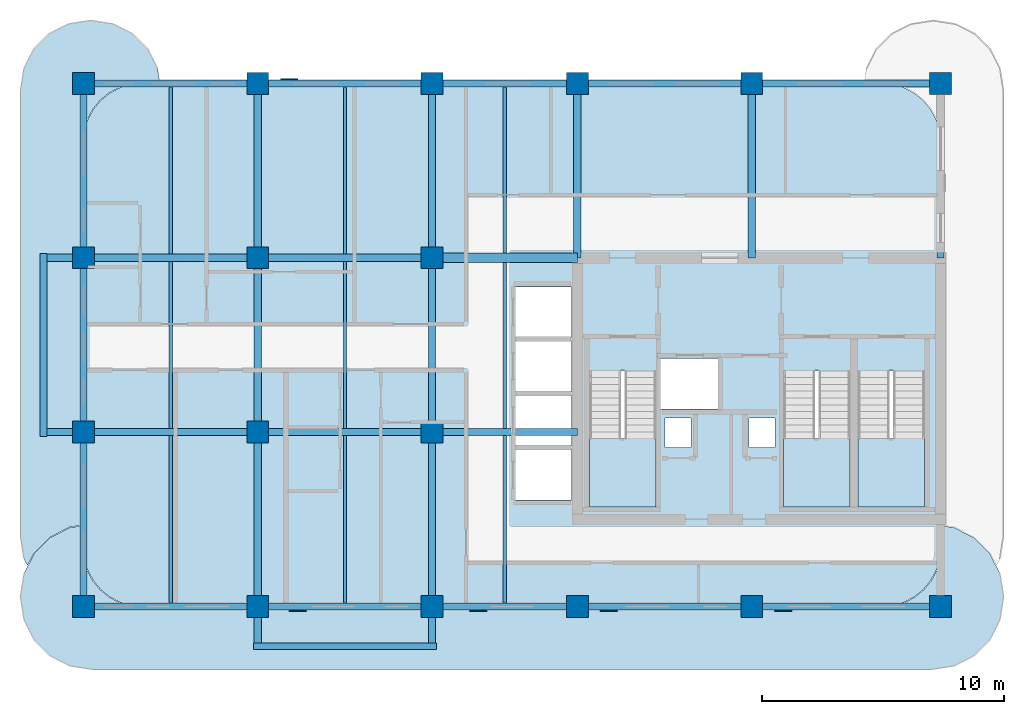
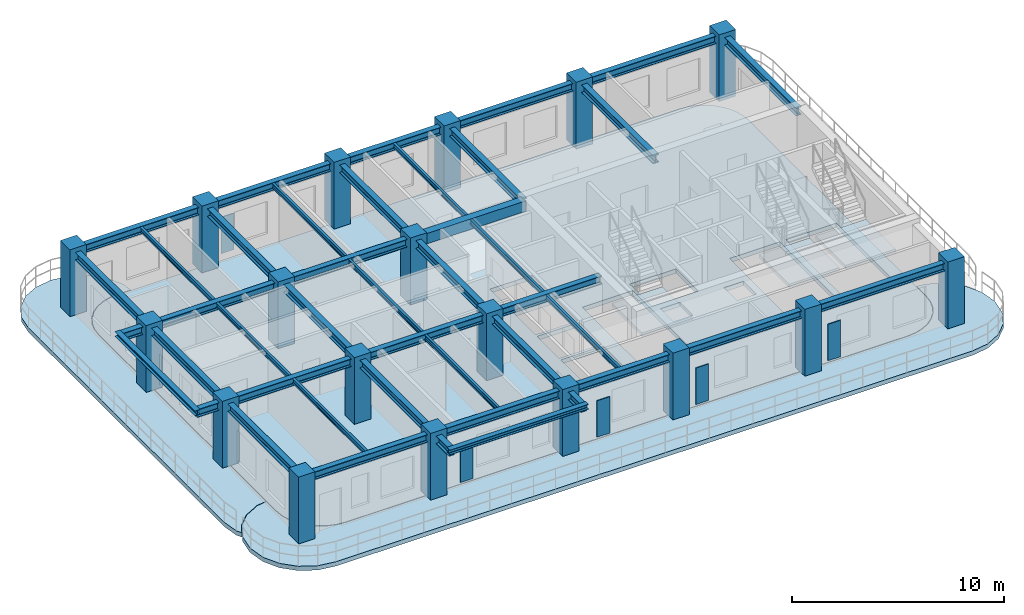
# One storey, part 1 of 8: 39 beams, 18 columns, 6 slabs, 5 plates, 3 elements without a shape of their own.
"""IFC4 building model written with IfcOpenShell, lengths in metres."""

from ifc_helpers import new_model, si_unit, derived_unit, direction, frame, origin, origin_2d, place, context, subcontext, project, spatial, polyline, rectangle, i_section, outline, extrude, source, transform, mapped, material, layer, layer_set, material_profile, profile_set, type_object, type_shapes, element, aggregate, save


model = new_model("IFC4")

# Units and contexts
model_context = context("Model", 3, precision=1e-05, world=origin(), true_north=direction((0.0, 1.0)))
body_context = subcontext(model_context, "Body", "Model", "MODEL_VIEW")
ifc_project = project(units=[si_unit("LENGTHUNIT", "METRE"), si_unit("AREAUNIT", "SQUARE_METRE"), si_unit("VOLUMEUNIT", "CUBIC_METRE"), si_unit("PLANEANGLEUNIT", "RADIAN"), si_unit("MASSUNIT", "GRAM", prefix="KILO"), si_unit("THERMODYNAMICTEMPERATUREUNIT", "KELVIN"), si_unit("POWERUNIT", "WATT"), derived_unit("THERMALTRANSMITTANCEUNIT", [(si_unit("POWERUNIT", "WATT"), 1), (si_unit("AREAUNIT", "SQUARE_METRE"), -1), (si_unit("THERMODYNAMICTEMPERATUREUNIT", "KELVIN"), -1)])], contexts=[model_context])

# Site, building, storey
site_placement = place(None, origin())
site = spatial("IfcSite", under=ifc_project, at=site_placement, CompositionType="ELEMENT")
building_placement = place(site_placement, origin())
building = spatial("IfcBuilding", under=site, at=building_placement, Name="Zahravan Archway Hotel and Residences", CompositionType="ELEMENT")
storey_placement = place(building_placement, frame((0.0, 0.0, 225.0)))
storey = spatial("IfcBuildingStorey", under=building, at=storey_placement, Name="L56", CompositionType="ELEMENT", Elevation=225.0)

# Columns
ifc_material_1 = material(Name="Concrete C60/75", Category="concrete")
ifc_material_profile_1 = material_profile(ifc_material_1, rectangle(XDim=0.89990234375, YDim=0.89990234375, at=origin_2d()), Name="RC-COL-900x900", Category="concrete")
ifc_profile_set_1 = profile_set([ifc_material_profile_1], Name="Concrete C60/75")
column_type = type_object("IfcColumnType", Name="COL-RC-900", PredefinedType="COLUMN", material=ifc_profile_set_1)
shared_shape_1 = source(origin(), body_context, "Body", "SweptSolid", [
    extrude(rectangle(XDim=0.89990234375, YDim=0.89990234375, at=origin_2d()), origin(), (0.0, 0.0, 1.0), 3.85009765625),
])
type_shapes(column_type, [shared_shape_1])
for number, where, z_axis, x_axis, name in (
    (1, (14.39990234375, 0.0, 0.0), (0.0, 0.0, 1.0), (1.0, 0.0, 0.0), "L56 Column 3-A"),
    (2, (14.39990234375, 7.199951171875, 0.0), (0.0, 0.0, 1.0), (1.0, 0.0, 0.0), "L56 Column 3-B"),
    (3, (14.39990234375, 14.39990234375, 0.0), (0.0, 0.0, 1.0), (1.0, 0.0, 0.0), "L56 Column 3-C"),
    (4, (14.39990234375, 21.60009765625, 0.0), (0.0, 0.0, 1.0), (1.0, 0.0, 0.0), "L56 Column 3-D"),
    (5, (21.60009765625, 0.0, 0.0), (0.0, 0.0, 1.0), (1.0, 0.0, 0.0), "L56 Column 4-A"),
    (6, (21.60009765625, 7.199951171875, 0.0), (0.0, 0.0, 1.0), (1.0, 0.0, 0.0), "L56 Column 4-B"),
    (7, (21.60009765625, 14.39990234375, 0.0), (0.0, 0.0, 1.0), (1.0, 0.0, 0.0), "L56 Column 4-C"),
    (8, (21.60009765625, 21.60009765625, 0.0), (0.0, 0.0, 1.0), (1.0, 0.0, 0.0), "L56 Column 4-D"),
    (9, (28.800048828125, 0.0, 0.0), (0.0, 0.0, 1.0), (1.0, 0.0, 0.0), "L56 Column 5-A"),
    (10, (28.800048828125, 7.199951171875, 0.0), (0.0, 0.0, 1.0), (1.0, 0.0, 0.0), "L56 Column 5-B"),
    (11, (28.800048828125, 14.39990234375, 0.0), (0.0, 0.0, 1.0), (1.0, 0.0, 0.0), "L56 Column 5-C"),
    (12, (28.800048828125, 21.60009765625, 0.0), (0.0, 0.0, 1.0), (1.0, 0.0, 0.0), "L56 Column 5-D"),
    (13, (34.800048828125, 0.0, 0.0), (0.0, 0.0, 1.0), (1.0, 0.0, 0.0), "L56 Column 6-A"),
    (14, (34.800048828125, 21.60009765625, 0.0), (0.0, 0.0, 1.0), (1.0, 0.0, 0.0), "L56 Column 6-D"),
    (15, (42.0, 0.0, 0.0), (0.0, 0.0, 1.0), (1.0, 0.0, 0.0), "L56 Column 7-A"),
    (16, (42.0, 21.60009765625, 0.0), (0.0, 0.0, 1.0), (1.0, 0.0, 0.0), "L56 Column 7-D"),
    (17, (49.800048828125, 0.0, 0.0), (0.0, 0.0, 1.0), (1.0, 0.0, 0.0), "L56 Column 8-A"),
    (18, (49.800048828125, 21.60009765625, 0.0), (0.0, 0.0, 1.0), (1.0, 0.0, 0.0), "L56 Column 8-D"),
):
    element("IfcColumn", number, at=place(storey_placement, frame(where, z_axis=z_axis, x_axis=x_axis)), inside=storey, type_object=column_type, Name=name, PredefinedType="COLUMN", context=body_context, shape_type="MappedRepresentation", body=[
        mapped(shared_shape_1, transform((0.0, 0.0, 0.0), scale=1.0)),
    ])

# Beams
ifc_material_2 = material(Name="Structural Steel S355JR", Category="steel")
ifc_material_profile_2 = material_profile(ifc_material_2, i_section(OverallWidth=0.280029296875, OverallDepth=0.280029296875, WebThickness=0.010498046875, FlangeThickness=0.01806640625, FilletRadius=0.02392578125, at=origin_2d()), Name="HEB 280", Category="steel")
ifc_profile_set_2 = profile_set([ifc_material_profile_2], Name="Structural Steel S355JR")
beam_type_1 = type_object("IfcBeamType", Name="BM-SPN-HEB280", PredefinedType="SPANDREL", material=ifc_profile_set_2)
shared_shape_2 = source(origin(), body_context, "Body", "SweptSolid", [
    extrude(i_section(OverallWidth=0.280029296875, OverallDepth=0.280029296875, WebThickness=0.010498046875, FlangeThickness=0.01806640625, FilletRadius=0.02392578125, at=origin_2d()), origin(), (0.0, 0.0, 1.0), 7.56005859375),
])
type_shapes(beam_type_1, [shared_shape_2])
for number, where, z_axis, x_axis, name in (
    (19, (12.75, 7.02001953125, 3.4599609375), (0.0, 1.0, 0.0), (-1.0, 0.0, 0.0), "L57 WA Balcony Edge Spandrel"),
    (20, (21.419921875, -1.64990234375, 3.4599609375), (1.0, 0.0, 0.0), (0.0, 1.0, 0.0), "L57 SA Balcony Edge Spandrel"),
):
    element("IfcBeam", number, at=place(storey_placement, frame(where, z_axis=z_axis, x_axis=x_axis)), inside=storey, type_object=beam_type_1, Name=name, PredefinedType="SPANDREL", context=body_context, shape_type="MappedRepresentation", body=[
        mapped(shared_shape_2, transform((0.0, 0.0, 0.0), scale=1.0)),
    ])
ifc_material_profile_3 = material_profile(ifc_material_1, rectangle(XDim=0.39990234375, YDim=0.60009765625, at=origin_2d()), Name="RC-LNT-400x600", Category="concrete")
ifc_profile_set_3 = profile_set([ifc_material_profile_3], Name="Concrete C60/75")
beam_type_2 = type_object("IfcBeamType", Name="LNT-RC-400x600", PredefinedType="LINTEL", material=ifc_profile_set_3)
shared_shape_3 = source(origin(), body_context, "Body", "SweptSolid", [
    extrude(rectangle(XDim=0.39990234375, YDim=0.60009765625, at=origin_2d()), origin(), (0.0, 0.0, 1.0), 6.0),
])
type_shapes(beam_type_2, [shared_shape_3])
beam_placement = place(storey_placement, frame((28.800048828125, 14.39990234375, 3.300048828125), z_axis=(1.0, 0.0, 0.0), x_axis=(0.0, 1.0, 0.0)))
element("IfcBeam", 21, at=beam_placement, inside=storey, type_object=beam_type_2, Name="L56 Core A Coupling Lintel Beam", PredefinedType="LINTEL", context=body_context, shape_type="MappedRepresentation", body=[
    mapped(shared_shape_3, transform((0.0, 0.0, 0.0), scale=1.0)),
])
ifc_material_profile_4 = material_profile(ifc_material_2, i_section(OverallWidth=0.300048828125, OverallDepth=0.449951171875, WebThickness=0.013916015625, FlangeThickness=0.02587890625, FilletRadius=0.027099609375, at=origin_2d()), Name="HEB 450", Category="steel")
ifc_profile_set_4 = profile_set([ifc_material_profile_4], Name="Structural Steel S355JR")
beam_type_3 = type_object("IfcBeamType", Name="BM-PRI-HEB450", PredefinedType="BEAM", material=ifc_profile_set_4)
shared_shape_4 = source(origin(), body_context, "Body", "SweptSolid", [
    extrude(i_section(OverallWidth=0.300048828125, OverallDepth=0.449951171875, WebThickness=0.013916015625, FlangeThickness=0.02587890625, FilletRadius=0.027099609375, at=origin_2d()), origin(), (0.0, 0.0, 1.0), 7.2001953125),
])
type_shapes(beam_type_3, [shared_shape_4])
for number, where, z_axis, x_axis, name in (
    (22, (14.39990234375, 0.0, 3.375), (1.0, 0.0, 0.0), (0.0, 1.0, 0.0), "L56 Primary Girder EW-01"),
    (23, (14.39990234375, 21.60009765625, 3.375), (1.0, 0.0, 0.0), (0.0, 1.0, 0.0), "L56 Primary Girder EW-11"),
    (24, (14.39990234375, 14.39990234375, 3.375), (0.0, 1.0, 0.0), (-1.0, 0.0, 0.0), "L56 Primary Girder NS-18"),
    (25, (21.60009765625, 14.39990234375, 3.375), (0.0, 1.0, 0.0), (-1.0, 0.0, 0.0), "L56 Primary Girder NS-21"),
    (26, (28.800048828125, 14.39990234375, 3.375), (0.0, 1.0, 0.0), (-1.0, 0.0, 0.0), "L56 Primary Girder NS-24"),
    (27, (34.800048828125, 14.39990234375, 3.375), (0.0, 1.0, 0.0), (-1.0, 0.0, 0.0), "L56 Primary Girder NS-25"),
    (28, (42.0, 14.39990234375, 3.375), (0.0, 1.0, 0.0), (-1.0, 0.0, 0.0), "L56 Primary Girder NS-26"),
    (29, (49.800048828125, 14.39990234375, 3.375), (0.0, 1.0, 0.0), (-1.0, 0.0, 0.0), "L56 Primary Girder NS-27"),
):
    element("IfcBeam", number, at=place(storey_placement, frame(where, z_axis=z_axis, x_axis=x_axis)), inside=storey, type_object=beam_type_3, Name=name, PredefinedType="BEAM", context=body_context, shape_type="MappedRepresentation", body=[
        mapped(shared_shape_4, transform((0.0, 0.0, 0.0), scale=1.0)),
    ])
shared_shape_5 = source(origin(), body_context, "Body", "SweptSolid", [
    extrude(i_section(OverallWidth=0.300048828125, OverallDepth=0.449951171875, WebThickness=0.013916015625, FlangeThickness=0.02587890625, FilletRadius=0.027099609375, at=origin_2d()), origin(), (0.0, 0.0, 1.0), 7.199951171875),
])
for number, where, z_axis, x_axis, name in (
    (30, (21.60009765625, 0.0, 3.375), (1.0, 0.0, 0.0), (0.0, 1.0, 0.0), "L56 Primary Girder EW-02"),
    (31, (34.800048828125, 0.0, 3.375), (1.0, 0.0, 0.0), (0.0, 1.0, 0.0), "L56 Primary Girder EW-04"),
    (32, (21.60009765625, 7.199951171875, 3.375), (1.0, 0.0, 0.0), (0.0, 1.0, 0.0), "L56 Primary Girder EW-07"),
    (33, (21.60009765625, 14.39990234375, 3.375), (1.0, 0.0, 0.0), (0.0, 1.0, 0.0), "L56 Primary Girder EW-10"),
    (34, (21.60009765625, 21.60009765625, 3.375), (1.0, 0.0, 0.0), (0.0, 1.0, 0.0), "L56 Primary Girder EW-12"),
    (35, (34.800048828125, 21.60009765625, 3.375), (1.0, 0.0, 0.0), (0.0, 1.0, 0.0), "L56 Primary Girder EW-14"),
    (36, (14.39990234375, 0.0, 3.375), (0.0, 1.0, 0.0), (-1.0, 0.0, 0.0), "L56 Primary Girder NS-16"),
    (37, (14.39990234375, 7.199951171875, 3.375), (0.0, 1.0, 0.0), (-1.0, 0.0, 0.0), "L56 Primary Girder NS-17"),
    (38, (21.60009765625, 7.199951171875, 3.375), (0.0, 1.0, 0.0), (-1.0, 0.0, 0.0), "L56 Primary Girder NS-20"),
    (39, (28.800048828125, 7.199951171875, 3.375), (0.0, 1.0, 0.0), (-1.0, 0.0, 0.0), "L56 Primary Girder NS-23"),
):
    element("IfcBeam", number, at=place(storey_placement, frame(where, z_axis=z_axis, x_axis=x_axis)), inside=storey, type_object=beam_type_3, Name=name, PredefinedType="BEAM", context=body_context, shape_type="MappedRepresentation", body=[
        mapped(shared_shape_5, transform((0.0, 0.0, 0.0), scale=1.0)),
    ])
shared_shape_6 = source(origin(), body_context, "Body", "SweptSolid", [
    extrude(i_section(OverallWidth=0.300048828125, OverallDepth=0.449951171875, WebThickness=0.013916015625, FlangeThickness=0.02587890625, FilletRadius=0.027099609375, at=origin_2d()), origin(), (0.0, 0.0, 1.0), 6.0),
])
for number, where, z_axis, x_axis, name in (
    (40, (28.800048828125, 0.0, 3.375), (1.0, 0.0, 0.0), (0.0, 1.0, 0.0), "L56 Primary Girder EW-03"),
    (41, (28.800048828125, 7.199951171875, 3.375), (1.0, 0.0, 0.0), (0.0, 1.0, 0.0), "L56 Primary Girder EW-08"),
    (42, (28.800048828125, 21.60009765625, 3.375), (1.0, 0.0, 0.0), (0.0, 1.0, 0.0), "L56 Primary Girder EW-13"),
):
    element("IfcBeam", number, at=place(storey_placement, frame(where, z_axis=z_axis, x_axis=x_axis)), inside=storey, type_object=beam_type_3, Name=name, PredefinedType="BEAM", context=body_context, shape_type="MappedRepresentation", body=[
        mapped(shared_shape_6, transform((0.0, 0.0, 0.0), scale=1.0)),
    ])
shared_shape_7 = source(origin(), body_context, "Body", "SweptSolid", [
    extrude(i_section(OverallWidth=0.300048828125, OverallDepth=0.449951171875, WebThickness=0.013916015625, FlangeThickness=0.02587890625, FilletRadius=0.027099609375, at=origin_2d()), origin(), (0.0, 0.0, 1.0), 7.800048828125),
])
for number, where, z_axis, x_axis, name in (
    (43, (42.0, 0.0, 3.375), (1.0, 0.0, 0.0), (0.0, 1.0, 0.0), "L56 Primary Girder EW-05"),
    (44, (42.0, 21.60009765625, 3.375), (1.0, 0.0, 0.0), (0.0, 1.0, 0.0), "L56 Primary Girder EW-15"),
):
    element("IfcBeam", number, at=place(storey_placement, frame(where, z_axis=z_axis, x_axis=x_axis)), inside=storey, type_object=beam_type_3, Name=name, PredefinedType="BEAM", context=body_context, shape_type="MappedRepresentation", body=[
        mapped(shared_shape_7, transform((0.0, 0.0, 0.0), scale=1.0)),
    ])
ifc_material_profile_5 = material_profile(ifc_material_2, i_section(OverallWidth=0.135009765625, OverallDepth=0.27001953125, WebThickness=0.006591796875, FlangeThickness=0.01025390625, FilletRadius=0.014892578125, at=origin_2d()), Name="IPE 270", Category="steel")
ifc_profile_set_5 = profile_set([ifc_material_profile_5], Name="Structural Steel S355JR")
beam_type_4 = type_object("IfcBeamType", Name="BM-JST-IPE270", PredefinedType="JOIST", material=ifc_profile_set_5)
shared_shape_8 = source(origin(), body_context, "Body", "SweptSolid", [
    extrude(i_section(OverallWidth=0.135009765625, OverallDepth=0.27001953125, WebThickness=0.006591796875, FlangeThickness=0.01025390625, FilletRadius=0.014892578125, at=origin_2d()), origin(), (0.0, 0.0, 1.0), 6.904052734375),
])
type_shapes(beam_type_4, [shared_shape_8])
for number, where, z_axis, x_axis, name in (
    (45, (18.0, 0.14794921875, 3.465087890625), (0.0, 1.0, 0.0), (-1.0, 0.0, 0.0), "L56 Composite Floor Joist 01"),
    (46, (25.199951171875, 0.14794921875, 3.465087890625), (0.0, 1.0, 0.0), (-1.0, 0.0, 0.0), "L56 Composite Floor Joist 02"),
    (47, (31.800048828125, 0.14794921875, 3.465087890625), (0.0, 1.0, 0.0), (-1.0, 0.0, 0.0), "L56 Composite Floor Joist 03"),
    (48, (18.0, 7.347900390625, 3.465087890625), (0.0, 1.0, 0.0), (-1.0, 0.0, 0.0), "L56 Composite Floor Joist 04"),
    (49, (25.199951171875, 7.347900390625, 3.465087890625), (0.0, 1.0, 0.0), (-1.0, 0.0, 0.0), "L56 Composite Floor Joist 05"),
):
    element("IfcBeam", number, at=place(storey_placement, frame(where, z_axis=z_axis, x_axis=x_axis)), inside=storey, type_object=beam_type_4, Name=name, PredefinedType="JOIST", context=body_context, shape_type="MappedRepresentation", body=[
        mapped(shared_shape_8, transform((0.0, 0.0, 0.0), scale=1.0)),
    ])
shared_shape_9 = source(origin(), body_context, "Body", "SweptSolid", [
    extrude(i_section(OverallWidth=0.135009765625, OverallDepth=0.27001953125, WebThickness=0.006591796875, FlangeThickness=0.01025390625, FilletRadius=0.014892578125, at=origin_2d()), origin(), (0.0, 0.0, 1.0), 6.85400390625),
])
for number, where, z_axis, x_axis, name in (
    (50, (31.800048828125, 7.347900390625, 3.465087890625), (0.0, 1.0, 0.0), (-1.0, 0.0, 0.0), "L56 Composite Floor Joist 06"),
    (51, (31.800048828125, 14.597900390625, 3.465087890625), (0.0, 1.0, 0.0), (-1.0, 0.0, 0.0), "L56 Composite Floor Joist 07"),
):
    element("IfcBeam", number, at=place(storey_placement, frame(where, z_axis=z_axis, x_axis=x_axis)), inside=storey, type_object=beam_type_4, Name=name, PredefinedType="JOIST", context=body_context, shape_type="MappedRepresentation", body=[
        mapped(shared_shape_9, transform((0.0, 0.0, 0.0), scale=1.0)),
    ])
shared_shape_10 = source(origin(), body_context, "Body", "SweptSolid", [
    extrude(i_section(OverallWidth=0.135009765625, OverallDepth=0.27001953125, WebThickness=0.006591796875, FlangeThickness=0.01025390625, FilletRadius=0.014892578125, at=origin_2d()), origin(), (0.0, 0.0, 1.0), 6.90380859375),
])
for number, where, z_axis, x_axis, name in (
    (52, (18.0, 14.548095703125, 3.465087890625), (0.0, 1.0, 0.0), (-1.0, 0.0, 0.0), "L56 Composite Floor Joist 08"),
    (53, (25.199951171875, 14.548095703125, 3.465087890625), (0.0, 1.0, 0.0), (-1.0, 0.0, 0.0), "L56 Composite Floor Joist 09"),
):
    element("IfcBeam", number, at=place(storey_placement, frame(where, z_axis=z_axis, x_axis=x_axis)), inside=storey, type_object=beam_type_4, Name=name, PredefinedType="JOIST", context=body_context, shape_type="MappedRepresentation", body=[
        mapped(shared_shape_10, transform((0.0, 0.0, 0.0), scale=1.0)),
    ])
shared_shape_11 = source(origin(), body_context, "Body", "SweptSolid", [
    extrude(i_section(OverallWidth=0.300048828125, OverallDepth=0.449951171875, WebThickness=0.013916015625, FlangeThickness=0.02587890625, FilletRadius=0.027099609375, at=origin_2d()), origin(), (0.0, 0.0, 1.0), 8.85009765625),
])
for number, where, z_axis, x_axis, name in (
    (54, (12.75, 7.199951171875, 3.375), (1.0, 0.0, 0.0), (0.0, 1.0, 0.0), "L56 Primary Girder EW-06"),
    (55, (12.75, 14.39990234375, 3.375), (1.0, 0.0, 0.0), (0.0, 1.0, 0.0), "L56 Primary Girder EW-09"),
):
    element("IfcBeam", number, at=place(storey_placement, frame(where, z_axis=z_axis, x_axis=x_axis)), inside=storey, type_object=beam_type_3, Name=name, PredefinedType="BEAM", context=body_context, shape_type="MappedRepresentation", body=[
        mapped(shared_shape_11, transform((0.0, 0.0, 0.0), scale=1.0)),
    ])
shared_shape_12 = source(origin(), body_context, "Body", "SweptSolid", [
    extrude(i_section(OverallWidth=0.300048828125, OverallDepth=0.449951171875, WebThickness=0.013916015625, FlangeThickness=0.02587890625, FilletRadius=0.027099609375, at=origin_2d()), origin(), (0.0, 0.0, 1.0), 8.849853515625),
])
for number, where, z_axis, x_axis, name in (
    (56, (21.60009765625, -1.64990234375, 3.375), (0.0, 1.0, 0.0), (-1.0, 0.0, 0.0), "L56 Primary Girder NS-19"),
    (57, (28.800048828125, -1.64990234375, 3.375), (0.0, 1.0, 0.0), (-1.0, 0.0, 0.0), "L56 Primary Girder NS-22"),
):
    element("IfcBeam", number, at=place(storey_placement, frame(where, z_axis=z_axis, x_axis=x_axis)), inside=storey, type_object=beam_type_3, Name=name, PredefinedType="BEAM", context=body_context, shape_type="MappedRepresentation", body=[
        mapped(shared_shape_12, transform((0.0, 0.0, 0.0), scale=1.0)),
    ])

# Slabs
ifc_material_3 = material(Name="Concrete C45/55", Category="concrete")
ifc_layer_1 = layer(ifc_material_3, 0.25, Name="Concrete C45/55", Category="concrete")
ifc_layer_set_1 = layer_set([ifc_layer_1], Name="Concrete C45/55")
slab_type_1 = type_object("IfcSlabType", Name="SLB-BALC-250", PredefinedType="FLOOR", material=ifc_layer_set_1)
slab_1_placement = place(storey_placement, frame((0.0, 0.0, -0.25)))
element("IfcSlab", 58, at=slab_1_placement, inside=storey, type_object=slab_type_1, Name="L56 Wing A South Rounded Balcony Band", PredefinedType="FLOOR", context=body_context, shape_type="SweptSolid", body=[
    extrude(outline(polyline([(50.361572265625, 3.255615234375), (51.18408203125, 2.836669921875), (51.836669921875, 2.18408203125), (52.255615234375, 1.361572265625), (52.39990234375, 0.449951171875), (52.39990234375, 0.35009765625), (52.255615234375, -0.5615234375), (51.836669921875, -1.384033203125), (51.18408203125, -2.03662109375), (50.361572265625, -2.45556640625), (49.449951171875, -2.60009765625), (14.75, -2.60009765625), (13.83837890625, -2.45556640625), (13.01611328125, -2.03662109375), (12.36328125, -1.384033203125), (11.9443359375, -0.5615234375), (11.800048828125, 0.35009765625), (11.800048828125, 0.449951171875), (11.9443359375, 1.361572265625), (12.36328125, 2.18408203125), (13.01611328125, 2.836669921875), (13.83837890625, 3.255615234375), (14.3798828125, 3.34130859375), (14.3798828125, 2.39990234375), (14.380126953125, 2.39794921875), (14.42626953125, 1.9296875), (14.426513671875, 1.927978515625), (14.427001953125, 1.926025390625), (14.563720703125, 1.475830078125), (14.564208984375, 1.473876953125), (14.565185546875, 1.47216796875), (14.786865234375, 1.05712890625), (14.787841796875, 1.055419921875), (14.7890625, 1.053955078125), (15.08740234375, 0.690185546875), (15.0888671875, 0.688720703125), (15.090087890625, 0.6875), (15.453857421875, 0.388916015625), (15.45556640625, 0.387939453125), (15.457275390625, 0.386962890625), (15.872314453125, 0.1650390625), (15.873779296875, 0.164306640625), (15.875732421875, 0.16357421875), (16.325927734375, 0.027099609375), (16.327880859375, 0.026611328125), (16.329833984375, 0.026123046875), (16.798095703125, -0.02001953125), (16.800048828125, -0.02001953125), (47.39990234375, -0.02001953125), (47.402099609375, -0.02001953125), (47.8701171875, 0.026123046875), (47.8720703125, 0.026611328125), (47.8740234375, 0.027099609375), (48.32421875, 0.16357421875), (48.326171875, 0.164306640625), (48.327880859375, 0.1650390625), (48.742919921875, 0.386962890625), (48.744384765625, 0.387939453125), (48.74609375, 0.388916015625), (49.10986328125, 0.6875), (49.111083984375, 0.688720703125), (49.112548828125, 0.690185546875), (49.410888671875, 1.053955078125), (49.412109375, 1.055419921875), (49.4130859375, 1.05712890625), (49.635009765625, 1.47216796875), (49.6357421875, 1.473876953125), (49.636474609375, 1.475830078125), (49.77294921875, 1.926025390625), (49.7734375, 1.927978515625), (49.773681640625, 1.9296875), (49.81982421875, 2.39794921875), (49.820068359375, 2.39990234375), (49.820068359375, 3.34130859375), (50.361572265625, 3.255615234375)])), origin(), (0.0, 0.0, 1.0), 0.25),
])
slab_2_placement = place(storey_placement, frame((0.0, 0.0, -0.25)))
element("IfcSlab", 59, at=slab_2_placement, inside=storey, type_object=slab_type_1, Name="L56 Wing A West Rounded Balcony Band", PredefinedType="FLOOR", context=body_context, shape_type="SweptSolid", body=[
    extrude(outline(polyline([(11.939453125, 1.96923828125), (11.800048828125, 2.85009765625), (11.800048828125, 21.35009765625), (11.939453125, 22.230712890625), (12.34423828125, 23.025146484375), (12.974853515625, 23.65576171875), (13.769287109375, 24.060546875), (14.64990234375, 24.199951171875), (14.75, 24.199951171875), (15.630615234375, 24.060546875), (16.42529296875, 23.65576171875), (17.0556640625, 23.025146484375), (17.46044921875, 22.230712890625), (17.55712890625, 21.6201171875), (16.800048828125, 21.6201171875), (16.798095703125, 21.619873046875), (16.329833984375, 21.57373046875), (16.327880859375, 21.573486328125), (16.325927734375, 21.572998046875), (15.875732421875, 21.436279296875), (15.873779296875, 21.435791015625), (15.872314453125, 21.434814453125), (15.457275390625, 21.213134765625), (15.45556640625, 21.212158203125), (15.453857421875, 21.2109375), (15.090087890625, 20.91259765625), (15.0888671875, 20.9111328125), (15.08740234375, 20.909912109375), (14.7890625, 20.546142578125), (14.787841796875, 20.54443359375), (14.786865234375, 20.542724609375), (14.565185546875, 20.127685546875), (14.564208984375, 20.126220703125), (14.563720703125, 20.124267578125), (14.427001953125, 19.674072265625), (14.426513671875, 19.672119140625), (14.42626953125, 19.670166015625), (14.380126953125, 19.201904296875), (14.3798828125, 19.199951171875), (14.3798828125, 3.361328125), (14.37890625, 3.361328125), (14.376953125, 3.361083984375), (13.835205078125, 3.275390625), (13.833251953125, 3.27490234375), (13.831298828125, 3.2744140625), (13.829345703125, 3.2734375), (13.0068359375, 2.8544921875), (13.005126953125, 2.853515625), (13.00341796875, 2.85205078125), (13.001953125, 2.8505859375), (12.349365234375, 2.197998046875), (12.347900390625, 2.196533203125), (12.3466796875, 2.19482421875), (12.345703125, 2.193115234375), (12.08544921875, 1.6826171875), (11.939453125, 1.96923828125)])), origin(), (0.0, 0.0, 1.0), 0.25),
])
ifc_layer_2 = layer(ifc_material_3, 0.25, Name="Concrete C45/55", Category="concrete")
ifc_layer_set_2 = layer_set([ifc_layer_2], Name="Concrete C45/55")
slab_type_2 = type_object("IfcSlabType", Name="SLB-FLR-250", PredefinedType="FLOOR", material=ifc_layer_set_2)
slab_3_placement = place(storey_placement, frame((0.0, 0.0, -0.25)))
element("IfcSlab", 60, at=slab_3_placement, inside=storey, type_object=slab_type_2, Name="L56 Floor Slab WA", PredefinedType="FLOOR", context=body_context, shape_type="SweptSolid", body=[
    extrude(outline(polyline([(47.39990234375, 0.0), (47.8681640625, 0.046142578125), (48.318359375, 0.1826171875), (48.7333984375, 0.404541015625), (49.09716796875, 0.702880859375), (49.3955078125, 1.066650390625), (49.6171875, 1.481689453125), (49.75390625, 1.931884765625), (49.800048828125, 2.39990234375), (49.800048828125, 19.199951171875), (49.75390625, 19.668212890625), (49.6171875, 20.118408203125), (49.3955078125, 20.533447265625), (49.09716796875, 20.897216796875), (48.7333984375, 21.195556640625), (48.318359375, 21.417236328125), (47.8681640625, 21.553955078125), (47.39990234375, 21.60009765625), (16.800048828125, 21.60009765625), (16.331787109375, 21.553955078125), (15.881591796875, 21.417236328125), (15.466552734375, 21.195556640625), (15.102783203125, 20.897216796875), (14.804443359375, 20.533447265625), (14.582763671875, 20.118408203125), (14.446044921875, 19.668212890625), (14.39990234375, 19.199951171875), (14.39990234375, 2.39990234375), (14.446044921875, 1.931884765625), (14.582763671875, 1.481689453125), (14.804443359375, 1.066650390625), (15.102783203125, 0.702880859375), (15.466552734375, 0.404541015625), (15.881591796875, 0.1826171875), (16.331787109375, 0.046142578125), (16.800048828125, 0.0), (47.39990234375, 0.0)]), holes=[polyline([(35.300048828125, 9.72998046875), (35.300048828125, 4.10009765625), (38.0400390625, 4.10009765625), (38.0400390625, 9.72998046875), (35.300048828125, 9.72998046875)]), polyline([(43.320068359375, 9.72998046875), (43.320068359375, 4.10009765625), (46.06005859375, 4.10009765625), (46.06005859375, 9.72998046875), (43.320068359375, 9.72998046875)]), polyline([(46.39990234375, 9.72998046875), (46.39990234375, 4.10009765625), (49.139892578125, 4.10009765625), (49.139892578125, 9.72998046875), (46.39990234375, 9.72998046875)]), polyline([(38.179931640625, 8.14990234375), (40.699951171875, 8.14990234375), (40.699951171875, 10.25), (38.179931640625, 10.25), (38.179931640625, 8.14990234375)]), polyline([(32.25, 4.39990234375), (34.550048828125, 4.39990234375), (34.550048828125, 6.47998046875), (32.25, 6.47998046875), (32.25, 4.39990234375)]), polyline([(32.25, 6.639892578125), (34.550048828125, 6.639892578125), (34.550048828125, 8.719970703125), (32.25, 8.719970703125), (32.25, 6.639892578125)]), polyline([(32.25, 8.8798828125), (34.550048828125, 8.8798828125), (34.550048828125, 10.9599609375), (32.25, 10.9599609375), (32.25, 8.8798828125)]), polyline([(32.25, 11.1201171875), (34.550048828125, 11.1201171875), (34.550048828125, 13.199951171875), (32.25, 13.199951171875), (32.25, 11.1201171875)]), polyline([(38.419921875, 6.56005859375), (39.5, 6.56005859375), (39.5, 7.780029296875), (38.419921875, 7.780029296875), (38.419921875, 6.56005859375)]), polyline([(41.89990234375, 6.56005859375), (42.9599609375, 6.56005859375), (42.9599609375, 7.780029296875), (41.89990234375, 7.780029296875), (41.89990234375, 6.56005859375)])]), origin(), (0.0, 0.0, 1.0), 0.25),
])

# Stair, slab
ifc_material_4 = material(Name="Concrete C50/60", Category="concrete")
stair_type = type_object("IfcStairType", Name="STR-CORE-1300", PredefinedType="HALF_TURN_STAIR", material=ifc_material_4)
stair_1_placement = place(storey_placement, origin())
stair_1 = element("IfcStair", 61, at=stair_1_placement, inside=storey, type_object=stair_type, Name="L56 Core A Exit Stair 1", PredefinedType="HALF_TURN_STAIR")
ifc_layer_3 = layer(ifc_material_4, 0.199951171875, Name="Concrete C50/60", Category="concrete")
ifc_layer_set_3 = layer_set([ifc_layer_3], Name="Concrete C50/60")
slab_type_3 = type_object("IfcSlabType", Name="SLB-LND-200", PredefinedType="LANDING", material=ifc_layer_set_3)
slab_4_placement = place(storey_placement, frame((0.0, 0.0, 1.72509765625)))
slab_4 = element("IfcSlab", 62, at=slab_4_placement, type_object=slab_type_3, Name="ST-A1 landing 1", PredefinedType="LANDING", context=body_context, shape_type="SweptSolid", body=[
    extrude(outline(polyline([(35.300048828125, 6.929931640625), (35.300048828125, 4.10009765625), (38.0400390625, 4.10009765625), (38.0400390625, 6.929931640625), (35.300048828125, 6.929931640625)])), origin(), (0.0, 0.0, 1.0), 0.199951171875),
])
aggregate(stair_1, [slab_4])

stair_2_placement = place(storey_placement, origin())
stair_2 = element("IfcStair", 63, at=stair_2_placement, inside=storey, type_object=stair_type, Name="L56 Core A Exit Stair 2", PredefinedType="HALF_TURN_STAIR")
slab_5_placement = place(storey_placement, frame((0.0, 0.0, 1.72509765625)))
slab_5 = element("IfcSlab", 64, at=slab_5_placement, type_object=slab_type_3, Name="ST-A2 landing 1", PredefinedType="LANDING", context=body_context, shape_type="SweptSolid", body=[
    extrude(outline(polyline([(43.320068359375, 6.929931640625), (43.320068359375, 4.10009765625), (46.06005859375, 4.10009765625), (46.06005859375, 6.929931640625), (43.320068359375, 6.929931640625)])), origin(), (0.0, 0.0, 1.0), 0.199951171875),
])
aggregate(stair_2, [slab_5])

stair_3_placement = place(storey_placement, origin())
stair_3 = element("IfcStair", 65, at=stair_3_placement, inside=storey, type_object=stair_type, Name="L56 Core A Exit Stair 3", PredefinedType="HALF_TURN_STAIR")
slab_6_placement = place(storey_placement, frame((0.0, 0.0, 1.72509765625)))
slab_6 = element("IfcSlab", 66, at=slab_6_placement, type_object=slab_type_3, Name="ST-A3 landing 1", PredefinedType="LANDING", context=body_context, shape_type="SweptSolid", body=[
    extrude(outline(polyline([(46.39990234375, 6.929931640625), (46.39990234375, 4.10009765625), (49.139892578125, 4.10009765625), (49.139892578125, 6.929931640625), (46.39990234375, 6.929931640625)])), origin(), (0.0, 0.0, 1.0), 0.199951171875),
])
aggregate(stair_3, [slab_6])

# Plates
ifc_material_5 = material(Name="Perforated Cast Bronze Jali Lattice")
ifc_layer_4 = layer(ifc_material_5, 0.044921875, Name="Perforated Cast Bronze Jali Lattice")
ifc_layer_set_4 = layer_set([ifc_layer_4], Name="Perforated Cast Bronze Jali Lattice")
plate_type = type_object("IfcPlateType", Name="PLT-JALI-BAY", PredefinedType="USERDEFINED", material=ifc_layer_set_4)
shared_shape_13 = source(origin(), body_context, "Body", "SweptSolid", [
    extrude(rectangle(XDim=0.699951171875, YDim=0.044921875, at=origin_2d()), origin(), (0.0, 0.0, 1.0), 2.10009765625),
])
type_shapes(plate_type, [shared_shape_13])
for number, where, z_axis, x_axis, name in (
    (67, (23.258056640625, -0.177978515625, 0.25), (0.0, 0.0, 1.0), (1.0, 0.0, 0.0), "L56 Perforated Bronze Jali Pier Screen 01"),
    (68, (30.7080078125, -0.177978515625, 0.25), (0.0, 0.0, 1.0), (1.0, 0.0, 0.0), "L56 Perforated Bronze Jali Pier Screen 02"),
    (69, (36.10009765625, -0.177978515625, 0.25), (0.0, 0.0, 1.0), (1.0, 0.0, 0.0), "L56 Perforated Bronze Jali Pier Screen 03"),
    (70, (43.300048828125, -0.177978515625, 0.25), (0.0, 0.0, 1.0), (1.0, 0.0, 0.0), "L56 Perforated Bronze Jali Pier Screen 04"),
    (71, (22.89990234375, 21.778076171875, 0.25), (0.0, 0.0, 1.0), (1.0, 0.0, 0.0), "L56 Perforated Bronze Jali Pier Screen 06"),
):
    element("IfcPlate", number, at=place(storey_placement, frame(where, z_axis=z_axis, x_axis=x_axis)), inside=storey, type_object=plate_type, Name=name, ObjectType="SCREEN", PredefinedType="USERDEFINED", context=body_context, shape_type="MappedRepresentation", body=[
        mapped(shared_shape_13, transform((0.0, 0.0, 0.0), scale=1.0)),
    ])

save(model, "model.ifc")
